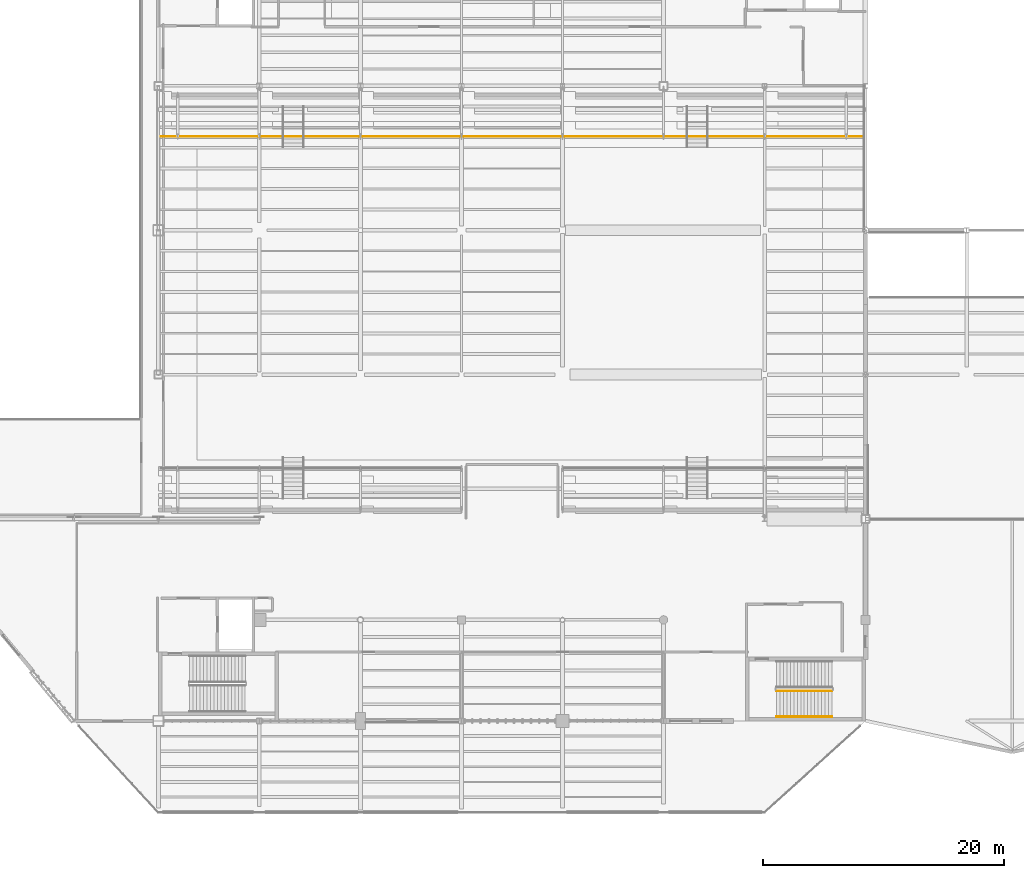
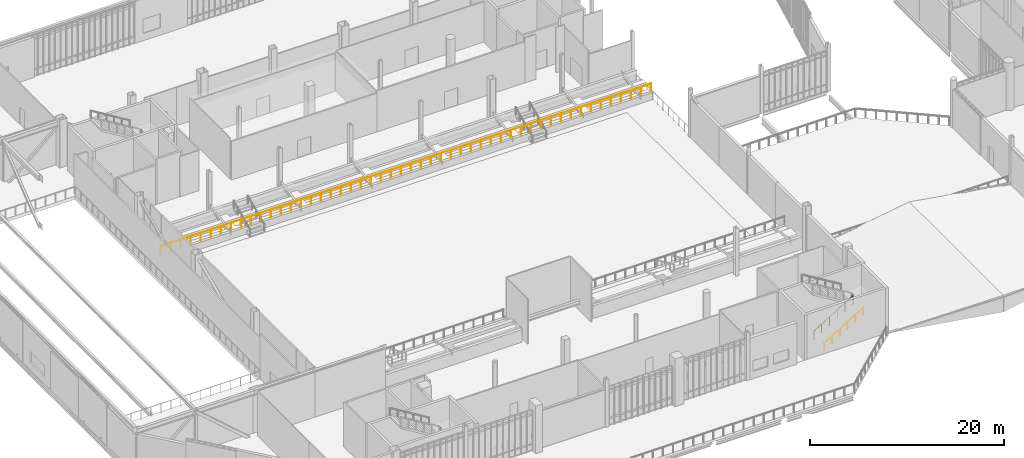
# One storey, part 123 of 135: 3 railings.
"""IFC4 building model written with IfcOpenShell, lengths in metres."""

from ifc_helpers import new_model, si_unit, direction, frame, origin, origin_2d, place, context, subcontext, project, spatial, circle, extrude, material, type_object, element, save


model = new_model("IFC4")

# Units and contexts
model_context = context("Model", 3, precision=1e-05, world=origin(), true_north=direction((0.0, 1.0)))
body_context = subcontext(model_context, "Body", "Model", "MODEL_VIEW")
ifc_project = project(units=[si_unit("LENGTHUNIT", "METRE"), si_unit("AREAUNIT", "SQUARE_METRE"), si_unit("VOLUMEUNIT", "CUBIC_METRE"), si_unit("PLANEANGLEUNIT", "RADIAN"), si_unit("MASSUNIT", "GRAM", prefix="KILO")], contexts=[model_context])

# Site, building, storey
site_placement = place(None, origin())
site = spatial("IfcSite", under=ifc_project, at=site_placement, CompositionType="ELEMENT")
building_placement = place(site_placement, origin())
building = spatial("IfcBuilding", under=site, at=building_placement, Name="Larkvane Passage Sports Hall", CompositionType="ELEMENT")
storey_placement = place(building_placement, frame((0.0, 0.0, 10.800048828125)))
storey = spatial("IfcBuildingStorey", under=building, at=storey_placement, Name="L02", CompositionType="ELEMENT", Elevation=10.800048828125)

# Railings
ifc_material_1 = material(Name="Laminated toughened glass and stainless steel S355JR", Category="steel")
railing_type_1 = type_object("IfcRailingType", Name="RL-BALUST-1120", PredefinedType="BALUSTRADE", material=ifc_material_1)
railing_1_placement = place(storey_placement, frame((35.0, 71.39990234375, 0.849853515625)))
element("IfcRailing", 1, at=railing_1_placement, inside=storey, type_object=railing_type_1, Name="Spectator stand front sightline guard N", PredefinedType="BALUSTRADE", context=body_context, shape_type="SweptSolid", body=[
    extrude(circle(Radius=0.02392578125, at=origin_2d()), frame((0.001953125, 0.0, 1.09619140625), z_axis=(1.0, 0.0, 0.0), x_axis=(0.0, 1.0, 0.0)), (0.0, 0.0, 1.0), 58.39599609375),
    extrude(circle(Radius=0.02099609375, at=origin_2d()), origin(), (0.0, 0.0, 1.0), 1.072021484375),
    extrude(circle(Radius=0.02099609375, at=origin_2d()), frame((1.19189453125, 0.0, 0.0)), (0.0, 0.0, 1.0), 1.072021484375),
    extrude(circle(Radius=0.02099609375, at=origin_2d()), frame((2.3837890625, 0.0, 0.0)), (0.0, 0.0, 1.0), 1.072021484375),
    extrude(circle(Radius=0.02099609375, at=origin_2d()), frame((3.575439453125, 0.0, 0.0)), (0.0, 0.0, 1.0), 1.072021484375),
    extrude(circle(Radius=0.02099609375, at=origin_2d()), frame((4.767333984375, 0.0, 0.0)), (0.0, 0.0, 1.0), 1.072021484375),
    extrude(circle(Radius=0.02099609375, at=origin_2d()), frame((5.959228515625, 0.0, 0.0)), (0.0, 0.0, 1.0), 1.072021484375),
    extrude(circle(Radius=0.02099609375, at=origin_2d()), frame((7.151123046875, 0.0, 0.0)), (0.0, 0.0, 1.0), 1.072021484375),
    extrude(circle(Radius=0.02099609375, at=origin_2d()), frame((8.3427734375, 0.0, 0.0)), (0.0, 0.0, 1.0), 1.072021484375),
    extrude(circle(Radius=0.02099609375, at=origin_2d()), frame((9.53466796875, 0.0, 0.0)), (0.0, 0.0, 1.0), 1.072021484375),
    extrude(circle(Radius=0.02099609375, at=origin_2d()), frame((10.7265625, 0.0, 0.0)), (0.0, 0.0, 1.0), 1.072021484375),
    extrude(circle(Radius=0.02099609375, at=origin_2d()), frame((11.91845703125, 0.0, 0.0)), (0.0, 0.0, 1.0), 1.072021484375),
    extrude(circle(Radius=0.02099609375, at=origin_2d()), frame((13.110107421875, 0.0, 0.0)), (0.0, 0.0, 1.0), 1.072021484375),
    extrude(circle(Radius=0.02099609375, at=origin_2d()), frame((14.302001953125, 0.0, 0.0)), (0.0, 0.0, 1.0), 1.072021484375),
    extrude(circle(Radius=0.02099609375, at=origin_2d()), frame((15.493896484375, 0.0, 0.0)), (0.0, 0.0, 1.0), 1.072021484375),
    extrude(circle(Radius=0.02099609375, at=origin_2d()), frame((16.685791015625, 0.0, 0.0)), (0.0, 0.0, 1.0), 1.072021484375),
    extrude(circle(Radius=0.02099609375, at=origin_2d()), frame((17.87744140625, 0.0, 0.0)), (0.0, 0.0, 1.0), 1.072021484375),
    extrude(circle(Radius=0.02099609375, at=origin_2d()), frame((19.0693359375, 0.0, 0.0)), (0.0, 0.0, 1.0), 1.072021484375),
    extrude(circle(Radius=0.02099609375, at=origin_2d()), frame((20.26123046875, 0.0, 0.0)), (0.0, 0.0, 1.0), 1.072021484375),
    extrude(circle(Radius=0.02099609375, at=origin_2d()), frame((21.453125, 0.0, 0.0)), (0.0, 0.0, 1.0), 1.072021484375),
    extrude(circle(Radius=0.02099609375, at=origin_2d()), frame((22.644775390625, 0.0, 0.0)), (0.0, 0.0, 1.0), 1.072021484375),
    extrude(circle(Radius=0.02099609375, at=origin_2d()), frame((23.836669921875, 0.0, 0.0)), (0.0, 0.0, 1.0), 1.072021484375),
    extrude(circle(Radius=0.02099609375, at=origin_2d()), frame((25.028564453125, 0.0, 0.0)), (0.0, 0.0, 1.0), 1.072021484375),
    extrude(circle(Radius=0.02099609375, at=origin_2d()), frame((26.220458984375, 0.0, 0.0)), (0.0, 0.0, 1.0), 1.072021484375),
    extrude(circle(Radius=0.02099609375, at=origin_2d()), frame((27.412109375, 0.0, 0.0)), (0.0, 0.0, 1.0), 1.072021484375),
    extrude(circle(Radius=0.02099609375, at=origin_2d()), frame((28.60400390625, 0.0, 0.0)), (0.0, 0.0, 1.0), 1.072021484375),
    extrude(circle(Radius=0.02099609375, at=origin_2d()), frame((29.7958984375, 0.0, 0.0)), (0.0, 0.0, 1.0), 1.072021484375),
    extrude(circle(Radius=0.02099609375, at=origin_2d()), frame((30.98779296875, 0.0, 0.0)), (0.0, 0.0, 1.0), 1.072021484375),
    extrude(circle(Radius=0.02099609375, at=origin_2d()), frame((32.179443359375, 0.0, 0.0)), (0.0, 0.0, 1.0), 1.072021484375),
    extrude(circle(Radius=0.02099609375, at=origin_2d()), frame((33.371337890625, 0.0, 0.0)), (0.0, 0.0, 1.0), 1.072021484375),
    extrude(circle(Radius=0.02099609375, at=origin_2d()), frame((34.563232421875, 0.0, 0.0)), (0.0, 0.0, 1.0), 1.072021484375),
    extrude(circle(Radius=0.02099609375, at=origin_2d()), frame((35.755126953125, 0.0, 0.0)), (0.0, 0.0, 1.0), 1.072021484375),
    extrude(circle(Radius=0.02099609375, at=origin_2d()), frame((36.94677734375, 0.0, 0.0)), (0.0, 0.0, 1.0), 1.072021484375),
    extrude(circle(Radius=0.02099609375, at=origin_2d()), frame((38.138671875, 0.0, 0.0)), (0.0, 0.0, 1.0), 1.072021484375),
    extrude(circle(Radius=0.02099609375, at=origin_2d()), frame((39.33056640625, 0.0, 0.0)), (0.0, 0.0, 1.0), 1.072021484375),
    extrude(circle(Radius=0.02099609375, at=origin_2d()), frame((40.5224609375, 0.0, 0.0)), (0.0, 0.0, 1.0), 1.072021484375),
    extrude(circle(Radius=0.02099609375, at=origin_2d()), frame((41.714111328125, 0.0, 0.0)), (0.0, 0.0, 1.0), 1.072021484375),
    extrude(circle(Radius=0.02099609375, at=origin_2d()), frame((42.906005859375, 0.0, 0.0)), (0.0, 0.0, 1.0), 1.072021484375),
    extrude(circle(Radius=0.02099609375, at=origin_2d()), frame((44.097900390625, 0.0, 0.0)), (0.0, 0.0, 1.0), 1.072021484375),
    extrude(circle(Radius=0.02099609375, at=origin_2d()), frame((45.289794921875, 0.0, 0.0)), (0.0, 0.0, 1.0), 1.072021484375),
    extrude(circle(Radius=0.02099609375, at=origin_2d()), frame((46.4814453125, 0.0, 0.0)), (0.0, 0.0, 1.0), 1.072021484375),
    extrude(circle(Radius=0.02099609375, at=origin_2d()), frame((47.67333984375, 0.0, 0.0)), (0.0, 0.0, 1.0), 1.072021484375),
    extrude(circle(Radius=0.02099609375, at=origin_2d()), frame((48.865234375, 0.0, 0.0)), (0.0, 0.0, 1.0), 1.072021484375),
    extrude(circle(Radius=0.02099609375, at=origin_2d()), frame((50.05712890625, 0.0, 0.0)), (0.0, 0.0, 1.0), 1.072021484375),
    extrude(circle(Radius=0.02099609375, at=origin_2d()), frame((51.248779296875, 0.0, 0.0)), (0.0, 0.0, 1.0), 1.072021484375),
    extrude(circle(Radius=0.02099609375, at=origin_2d()), frame((52.440673828125, 0.0, 0.0)), (0.0, 0.0, 1.0), 1.072021484375),
    extrude(circle(Radius=0.02099609375, at=origin_2d()), frame((53.632568359375, 0.0, 0.0)), (0.0, 0.0, 1.0), 1.072021484375),
    extrude(circle(Radius=0.02099609375, at=origin_2d()), frame((54.824462890625, 0.0, 0.0)), (0.0, 0.0, 1.0), 1.072021484375),
    extrude(circle(Radius=0.02099609375, at=origin_2d()), frame((56.01611328125, 0.0, 0.0)), (0.0, 0.0, 1.0), 1.072021484375),
    extrude(circle(Radius=0.02099609375, at=origin_2d()), frame((57.2080078125, 0.0, 0.0)), (0.0, 0.0, 1.0), 1.072021484375),
    extrude(circle(Radius=0.02099609375, at=origin_2d()), frame((58.39990234375, 0.0, 0.0)), (0.0, 0.0, 1.0), 1.072021484375),
])
ifc_material_2 = material(Name="Steel S355JR", Category="steel")
railing_type_2 = type_object("IfcRailingType", Name="RL-GUARD-1120", PredefinedType="GUARDRAIL", material=ifc_material_2)
railing_2_placement = place(storey_placement, frame((86.179931640625, 25.300048828125, 0.176513671875)))
element("IfcRailing", 2, at=railing_2_placement, inside=storey, type_object=railing_type_2, Name="L02 ST-04 stair guard 1", PredefinedType="GUARDRAIL", context=body_context, shape_type="SweptSolid", body=[
    extrude(circle(Radius=0.02392578125, at=origin_2d()), frame((0.001708984375, 0.0, 1.09716796875), z_axis=(0.854275794217, 0.0, 0.51982003368), x_axis=(0.0, 1.0, 0.0)), (0.0, 0.0, 1.0), 5.427734375),
    extrude(circle(Radius=0.02099609375, at=origin_2d()), origin(), (0.0, 0.0, 1.0), 1.072021484375),
    extrude(circle(Radius=0.02099609375, at=origin_2d()), frame((0.927978515625, 0.0, 0.564697265625)), (0.0, 0.0, 1.0), 1.072021484375),
    extrude(circle(Radius=0.02099609375, at=origin_2d()), frame((1.85595703125, 0.0, 1.12939453125)), (0.0, 0.0, 1.0), 1.072021484375),
    extrude(circle(Radius=0.02099609375, at=origin_2d()), frame((2.7841796875, 0.0, 1.694091796875)), (0.0, 0.0, 1.0), 1.072021484375),
    extrude(circle(Radius=0.02099609375, at=origin_2d()), frame((3.712158203125, 0.0, 2.2587890625)), (0.0, 0.0, 1.0), 1.072021484375),
    extrude(circle(Radius=0.02099609375, at=origin_2d()), frame((4.64013671875, 0.0, 2.823486328125)), (0.0, 0.0, 1.0), 1.072021484375),
])
ifc_material_3 = material(Name="Stainless steel S355JR", Category="steel")
railing_type_3 = type_object("IfcRailingType", Name="RL-HAND-920", PredefinedType="HANDRAIL", material=ifc_material_3)
railing_3_placement = place(storey_placement, frame((86.179931640625, 23.14990234375, 0.176513671875)))
element("IfcRailing", 3, at=railing_3_placement, inside=storey, type_object=railing_type_3, Name="L02 ST-04 stair handrail 1", PredefinedType="HANDRAIL", context=body_context, shape_type="SweptSolid", body=[
    extrude(circle(Radius=0.02392578125, at=origin_2d()), frame((0.001708984375, 0.0, 0.876953125), z_axis=(0.854275794217, 0.0, 0.51982003368), x_axis=(0.0, 1.0, 0.0)), (0.0, 0.0, 1.0), 5.427734375),
    extrude(circle(Radius=0.02099609375, at=origin_2d()), origin(), (0.0, 0.0, 1.0), 0.851806640625),
    extrude(circle(Radius=0.02099609375, at=origin_2d()), frame((0.927978515625, 0.0, 0.564697265625)), (0.0, 0.0, 1.0), 0.851806640625),
    extrude(circle(Radius=0.02099609375, at=origin_2d()), frame((1.85595703125, 0.0, 1.12939453125)), (0.0, 0.0, 1.0), 0.851806640625),
    extrude(circle(Radius=0.02099609375, at=origin_2d()), frame((2.7841796875, 0.0, 1.694091796875)), (0.0, 0.0, 1.0), 0.851806640625),
    extrude(circle(Radius=0.02099609375, at=origin_2d()), frame((3.712158203125, 0.0, 2.2587890625)), (0.0, 0.0, 1.0), 0.851806640625),
    extrude(circle(Radius=0.02099609375, at=origin_2d()), frame((4.64013671875, 0.0, 2.823486328125)), (0.0, 0.0, 1.0), 0.851806640625),
])

save(model, "model.ifc")
